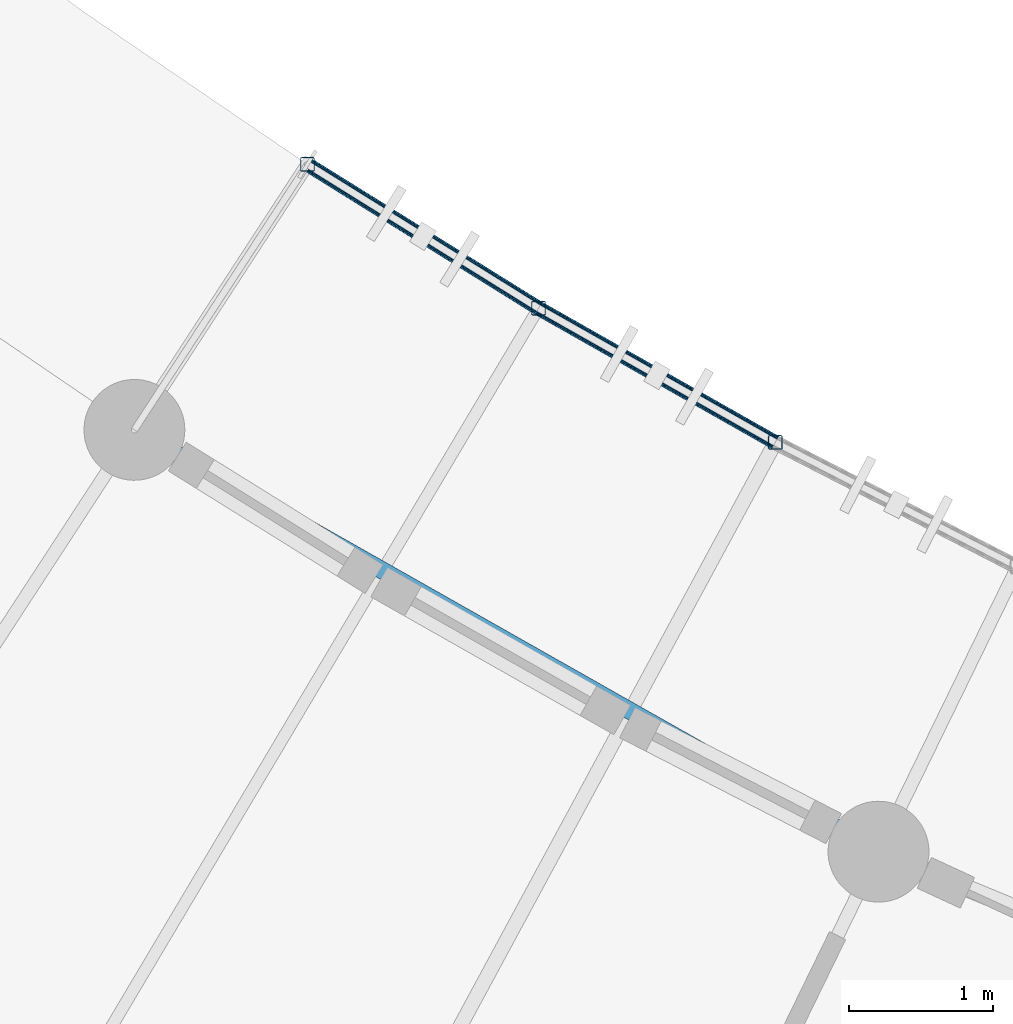
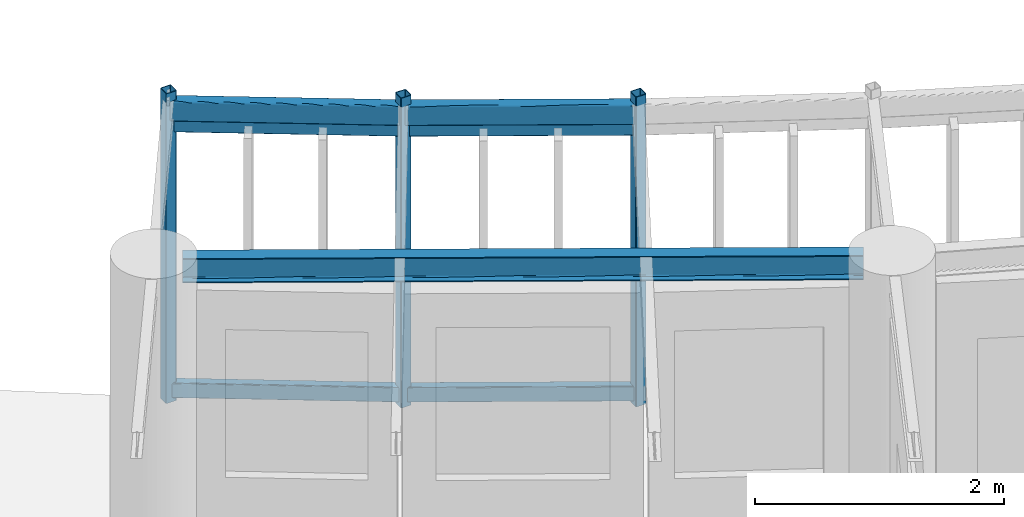
# One storey, part 6 of 123: 7 members, 3 beams.
"""IFC4 building model written with IfcOpenShell, lengths in metres."""

from ifc_helpers import new_model, si_unit, direction, frame, origin, origin_2d, place, context, subcontext, project, spatial, hollow_rectangle, i_section, extrude, material, material_profile, profile_set, type_object, element, save


model = new_model("IFC4")

# Units and contexts
model_context = context("Model", 3, precision=1e-05, world=origin(), true_north=direction((0.0, 1.0)))
body_context = subcontext(model_context, "Body", "Model", "MODEL_VIEW")
ifc_project = project(units=[si_unit("LENGTHUNIT", "METRE"), si_unit("AREAUNIT", "SQUARE_METRE"), si_unit("VOLUMEUNIT", "CUBIC_METRE"), si_unit("PLANEANGLEUNIT", "RADIAN"), si_unit("MASSUNIT", "GRAM", prefix="KILO"), si_unit("POWERUNIT", "WATT"), si_unit("THERMODYNAMICTEMPERATUREUNIT", "KELVIN")], contexts=[model_context])

# Site, building, storey
site_placement = place(None, origin())
site = spatial("IfcSite", under=ifc_project, at=site_placement, CompositionType="ELEMENT")
building_placement = place(site_placement, origin())
building = spatial("IfcBuilding", under=site, at=building_placement, Name="Ruvembo Vaulted Housing Court", CompositionType="ELEMENT")
storey_placement = place(building_placement, frame((0.0, 0.0, 7.699951171875)))
storey = spatial("IfcBuildingStorey", under=building, at=storey_placement, Name="L02", CompositionType="ELEMENT", Elevation=7.699951171875)

# Beams
ifc_material = material(Name="Steel S355J2", Category="steel")
ifc_material_profile_1 = material_profile(ifc_material, i_section(OverallWidth=0.1201171875, OverallDepth=0.239990234375, WebThickness=0.006103515625, FlangeThickness=0.009765625, FilletRadius=0.014892578125, at=origin_2d()), Name="IPE 240")
ifc_profile_set_1 = profile_set([ifc_material_profile_1], Name="Steel S355J2")
beam_type_1 = type_object("IfcBeamType", Name="BM-ST-IPE240", PredefinedType="BEAM", material=ifc_profile_set_1)
beam_placement = place(storey_placement, frame((42.99365234375, 21.671875, 2.822021484375), z_axis=(0.869955253396, -0.493130669386, 0.0), x_axis=(0.493130669386, 0.869955253396, 0.0)))
element("IfcBeam", 1, at=beam_placement, inside=storey, type_object=beam_type_1, Name="Scoop SC2 L02 Chord Girder F0", PredefinedType="BEAM", context=body_context, shape_type="SweptSolid", body=[
    extrude(i_section(OverallWidth=0.1201171875, OverallDepth=0.239990234375, WebThickness=0.006103515625, FlangeThickness=0.009765625, FilletRadius=0.014892578125, at=origin_2d()), origin(), (0.0, 0.0, 1.0), 5.4765625),
])
ifc_material_profile_2 = material_profile(ifc_material, hollow_rectangle(XDim=0.10009765625, YDim=0.199951171875, WallThickness=0.008056640625, InnerFilletRadius=0.008056640625, OuterFilletRadius=0.01611328125, at=origin_2d()), Name="RHS 200x100x8")
ifc_profile_set_2 = profile_set([ifc_material_profile_2], Name="Steel S355J2")
beam_type_2 = type_object("IfcBeamType", Name="BM-ST-RHS200", PredefinedType="SPANDREL", material=ifc_profile_set_2)
for number, where, z_axis, x_axis, name in (
    (2, (43.99462890625, 23.62841796875, 2.840087890625), (0.848904567119, -0.52854615307, 0.0), (0.52854615307, 0.848904567119, 0.0), "Scoop SC2 L02 Balcony Edge Spandrel 0"),
    (3, (45.598388671875, 22.6298828125, 2.840087890625), (0.869955662473, -0.493129947712, 0.0), (0.493129947712, 0.869955662473, 0.0), "Scoop SC2 L02 Balcony Edge Spandrel 1"),
):
    element("IfcBeam", number, at=place(storey_placement, frame(where, z_axis=z_axis, x_axis=x_axis)), inside=storey, type_object=beam_type_2, Name=name, PredefinedType="SPANDREL", context=body_context, shape_type="SweptSolid", body=[
        extrude(hollow_rectangle(XDim=0.10009765625, YDim=0.199951171875, WallThickness=0.008056640625, InnerFilletRadius=0.008056640625, OuterFilletRadius=0.01611328125, at=origin_2d()), origin(), (0.0, 0.0, 1.0), 1.88916015625),
    ])

# Members
ifc_material_profile_3 = material_profile(ifc_material, hollow_rectangle(XDim=0.06005859375, YDim=0.1201171875, WallThickness=0.0048828125, InnerFilletRadius=0.0048828125, OuterFilletRadius=0.010009765625, at=origin_2d()), Name="RHS 120x60x5")
ifc_profile_set_3 = profile_set([ifc_material_profile_3], Name="Steel S355J2")
member_type_1 = type_object("IfcMemberType", Name="MEM-CAR-RHS120", PredefinedType="CHORD", material=ifc_profile_set_3)
for number, where, z_axis, x_axis, name in (
    (4, (43.99462890625, 23.62841796875, 2.68310546875), (0.848904567119, -0.52854615307, 0.0), (0.52854615307, 0.848904567119, 0.0), "Scoop SC2 L02 Upper Louvre Carrier Rail 0"),
    (5, (45.598388671875, 22.6298828125, 2.68310546875), (0.869955662473, -0.493129947712, 0.0), (0.493129947712, 0.869955662473, 0.0), "Scoop SC2 L02 Upper Louvre Carrier Rail 1"),
):
    element("IfcMember", number, at=place(storey_placement, frame(where, z_axis=z_axis, x_axis=x_axis)), inside=storey, type_object=member_type_1, Name=name, PredefinedType="CHORD", context=body_context, shape_type="SweptSolid", body=[
        extrude(hollow_rectangle(XDim=0.06005859375, YDim=0.1201171875, WallThickness=0.0048828125, InnerFilletRadius=0.0048828125, OuterFilletRadius=0.010009765625, at=origin_2d()), origin(), (0.0, 0.0, 1.0), 1.88916015625),
    ])
ifc_material_profile_4 = material_profile(ifc_material, hollow_rectangle(XDim=0.080078125, YDim=0.14990234375, WallThickness=0.00634765625, InnerFilletRadius=0.00634765625, OuterFilletRadius=0.0126953125, at=origin_2d()), Name="RHS 150x80x6.3")
ifc_profile_set_4 = profile_set([ifc_material_profile_4], Name="Steel S355J2")
member_type_2 = type_object("IfcMemberType", Name="MEM-CAR-RHS150", PredefinedType="CHORD", material=ifc_profile_set_4)
for number, where, z_axis, x_axis, name in (
    (6, (43.99462890625, 23.62841796875, 0.094970703125), (0.848904567119, -0.52854615307, 0.0), (0.52854615307, 0.848904567119, 0.0), "Scoop SC2 L02 Lower Louvre Carrier Rail 0"),
    (7, (45.598388671875, 22.6298828125, 0.094970703125), (0.869955662473, -0.493129947712, 0.0), (0.493129947712, 0.869955662473, 0.0), "Scoop SC2 L02 Lower Louvre Carrier Rail 1"),
):
    element("IfcMember", number, at=place(storey_placement, frame(where, z_axis=z_axis, x_axis=x_axis)), inside=storey, type_object=member_type_2, Name=name, PredefinedType="CHORD", context=body_context, shape_type="SweptSolid", body=[
        extrude(hollow_rectangle(XDim=0.080078125, YDim=0.14990234375, WallThickness=0.00634765625, InnerFilletRadius=0.00634765625, OuterFilletRadius=0.0126953125, at=origin_2d()), origin(), (0.0, 0.0, 1.0), 1.88916015625),
    ])
ifc_material_profile_5 = material_profile(ifc_material, hollow_rectangle(XDim=0.10009765625, YDim=0.10009765625, WallThickness=0.00634765625, InnerFilletRadius=0.00634765625, OuterFilletRadius=0.0126953125, at=origin_2d()), Name="SHS 100x100x6.3")
ifc_profile_set_5 = profile_set([ifc_material_profile_5], Name="Steel S355J2")
member_type_3 = type_object("IfcMemberType", Name="MEM-FRM-SHS100", PredefinedType="STRUT", material=ifc_profile_set_5)
for number, where, z_axis, x_axis, name in (
    (8, (43.99462890625, 23.62841796875, -0.014892578125), (0.0, 0.0, 1.0), (1.0, 0.0, 0.0), "Scoop SC2 L02 Louvre Frame Post 0"),
    (9, (45.598388671875, 22.6298828125, -0.014892578125), (0.0, 0.0, 1.0), (1.0, 0.0, 0.0), "Scoop SC2 L02 Louvre Frame Post 1"),
    (10, (47.241943359375, 21.6982421875, -0.014892578125), (0.0, 0.0, 1.0), (1.0, 0.0, 0.0), "Scoop SC2 L02 Louvre Frame Post 2"),
):
    element("IfcMember", number, at=place(storey_placement, frame(where, z_axis=z_axis, x_axis=x_axis)), inside=storey, type_object=member_type_3, Name=name, PredefinedType="STRUT", context=body_context, shape_type="SweptSolid", body=[
        extrude(hollow_rectangle(XDim=0.10009765625, YDim=0.10009765625, WallThickness=0.00634765625, InnerFilletRadius=0.00634765625, OuterFilletRadius=0.0126953125, at=origin_2d()), origin(), (0.0, 0.0, 1.0), 3.041015625),
    ])

save(model, "model.ifc")
